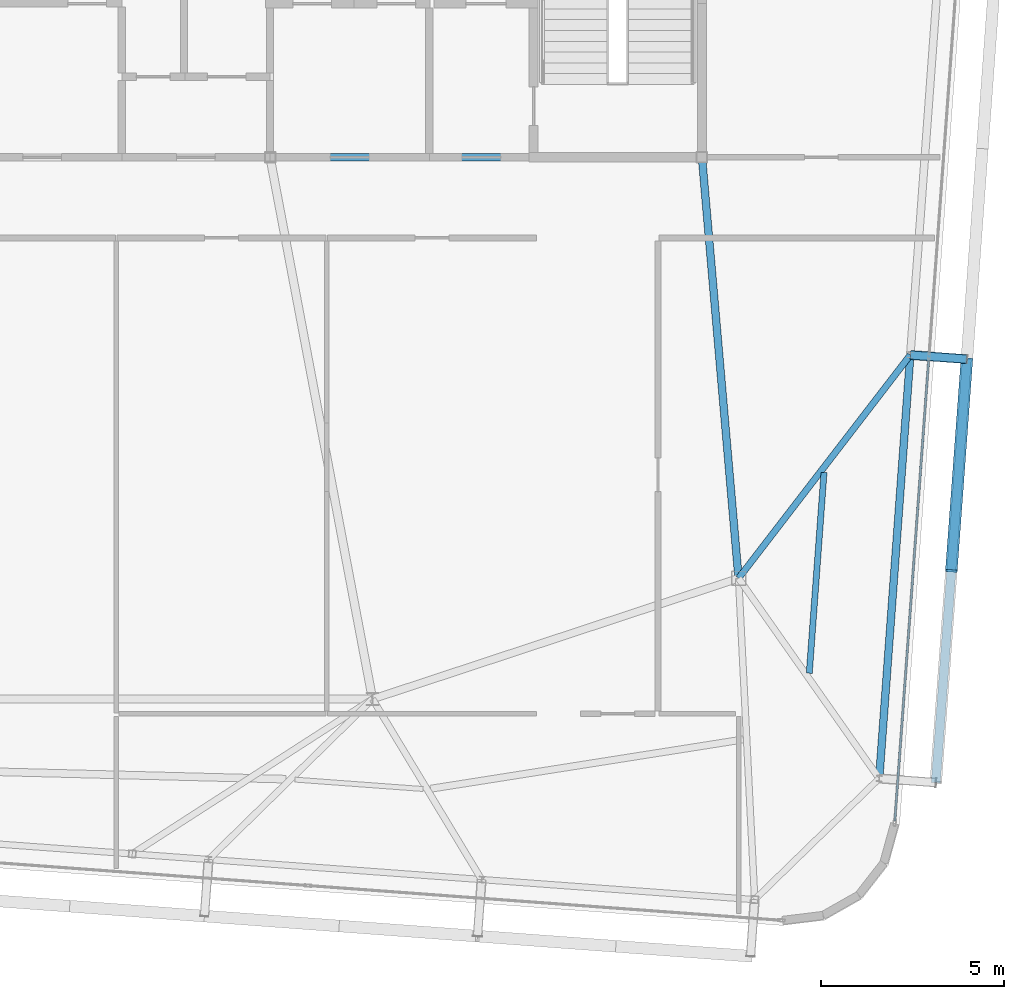
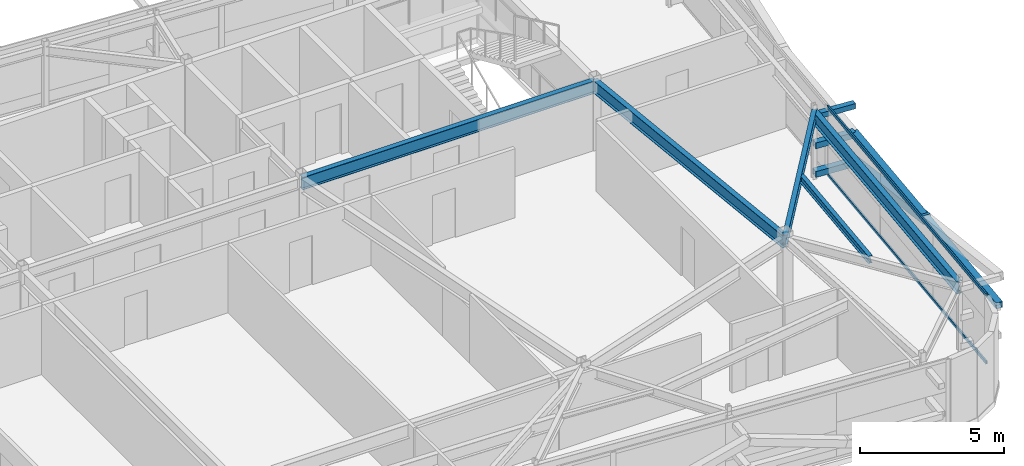
# One storey, part 16 of 34: 7 members, 5 beams, 1 element without a shape of its own.
"""IFC4 building model written with IfcOpenShell, lengths in metres."""

import ifcopenshell
import ifcopenshell.guid

model = None  # the IFC model being written
_history = None  # IfcOwnerHistory: only IFC2X3 demands one
_inside = {}  # id of a spatial element -> (the spatial element, [elements in it])
_under = {}  # id of a project, library or spatial element -> (it, [spatial elements below it])
_declared = {}  # id of a project -> (the project, [libraries it declares])
_typed = {}  # id of a type object -> (the type object, [elements of that type])
_made_of = {}  # id of a material, layer set ... -> (it, [elements and type objects made of it])


def new_model(schema):
    """Start an empty IFC model of exactly this schema.

    Asked for "IFC4X3", IfcOpenShell would pick the latest addendum, in which some entities
    have other attributes; the version numbers below select the first issue.
    IFC2X3 requires an IfcOwnerHistory on every rooted entity: one is made here for all.
    """
    global model, _history
    if schema == "IFC4X3":
        model = ifcopenshell.file(schema_version=(4, 3, 0, 0))
    else:
        model = ifcopenshell.file(schema=schema)
    _inside.clear()
    _under.clear()
    _declared.clear()
    _typed.clear()
    _made_of.clear()
    _history = None
    if model.schema == "IFC2X3":
        org = make("IfcOrganization", Name="unknown")
        user = make(
            "IfcPersonAndOrganization",
            ThePerson=make("IfcPerson", FamilyName="unknown"),
            TheOrganization=org,
        )
        app = make(
            "IfcApplication",
            ApplicationDeveloper=org,
            Version="unknown",
            ApplicationFullName="unknown",
            ApplicationIdentifier="unknown",
        )
        _history = make(
            "IfcOwnerHistory",
            OwningUser=user,
            OwningApplication=app,
            ChangeAction="ADDED",
            CreationDate=0,
        )
    return model


def make(cls, **values):
    """One entity of the class cls with the attributes given. An attribute that is None is left unset."""
    return model.create_entity(
        cls, **{name: value for name, value in values.items() if value is not None}
    )


def rooted(cls, **values):
    """An entity with a GlobalId (a new one), such as an element, a storey or a relation."""
    return make(cls, GlobalId=ifcopenshell.guid.new(), OwnerHistory=_history, **values)


def si_unit(unit_type, name, prefix=None):
    """IfcSIUnit, for example si_unit("LENGTHUNIT", "METRE", prefix="MILLI")."""
    return make("IfcSIUnit", UnitType=unit_type, Prefix=prefix, Name=name)


def assignment(units):
    """IfcUnitAssignment: the units of a project."""
    return None if units is None else make("IfcUnitAssignment", Units=units)


def point(xyz):
    """IfcCartesianPoint."""
    return None if xyz is None else make("IfcCartesianPoint", Coordinates=xyz)


def direction(xyz):
    """IfcDirection."""
    return None if xyz is None else make("IfcDirection", DirectionRatios=xyz)


def frame(location, z_axis=None, x_axis=None):
    """IfcAxis2Placement3D, a coordinate frame: its origin and axes. An axis left out is left unset."""
    return make(
        "IfcAxis2Placement3D",
        Location=point(location),
        Axis=direction(z_axis),
        RefDirection=direction(x_axis),
    )


def frame_2d(location, x_axis=None):
    """IfcAxis2Placement2D, a coordinate frame in the plane: its origin and x axis."""
    return make(
        "IfcAxis2Placement2D", Location=point(location), RefDirection=direction(x_axis)
    )


def origin():
    """The frame at (0, 0, 0) with its axes left unset."""
    return frame((0.0, 0.0, 0.0))


def origin_2d():
    """The frame at (0, 0) in the plane with its x axis left unset."""
    return frame_2d((0.0, 0.0))


def place(relative_to, where):
    """IfcLocalPlacement: puts the frame where relative to a parent placement (None: the world)."""
    return make(
        "IfcLocalPlacement", PlacementRelTo=relative_to, RelativePlacement=where
    )


def context(
    kind, dimensions, precision=None, world=None, true_north=None, identifier=None
):
    """IfcGeometricRepresentationContext, for example the 3D "Model" context."""
    return make(
        "IfcGeometricRepresentationContext",
        ContextIdentifier=identifier,
        ContextType=kind,
        CoordinateSpaceDimension=dimensions,
        Precision=precision,
        WorldCoordinateSystem=world,
        TrueNorth=true_north,
    )


def subcontext(parent, identifier, kind, view, scale=None):
    """IfcGeometricRepresentationSubContext, for example "Body" below "Model"."""
    return make(
        "IfcGeometricRepresentationSubContext",
        ContextIdentifier=identifier,
        ContextType=kind,
        ParentContext=parent,
        TargetScale=scale,
        TargetView=view,
    )


def project(units=None, contexts=None):
    """IfcProject with its units and contexts."""
    return rooted(
        "IfcProject",
        Name="project",
        RepresentationContexts=contexts,
        UnitsInContext=assignment(units),
    )


def spatial(cls, under=None, at=None, **own):
    """A site, building, storey or space (cls), placed at a placement, below another one or the project."""
    s = rooted(cls, ObjectPlacement=at, **own)
    if under is not None:
        _under.setdefault(under.id(), (under, []))[1].append(s)
    return s


def profile(cls, at=None, kind="AREA", **sizes):
    """A parametric profile (cls). Its sizes go by their IFC names, for example OverallWidth=200.0."""
    return make(cls, ProfileType=kind, Position=at, **sizes)


def hollow_rectangle(**sizes):
    """IfcRectangleHollowProfileDef."""
    return profile("IfcRectangleHollowProfileDef", **sizes)


def i_section(**sizes):
    """IfcIShapeProfileDef."""
    return profile("IfcIShapeProfileDef", **sizes)


def extrude(swept, where, along, depth):
    """IfcExtrudedAreaSolid: the profile swept, set in the frame where, extruded along a direction by depth."""
    return make(
        "IfcExtrudedAreaSolid",
        SweptArea=swept,
        Position=where,
        ExtrudedDirection=direction(along),
        Depth=depth,
    )


def shape(context_of_items, identifier, shape_type, items):
    """IfcShapeRepresentation: the items that make up one representation, for example the "Body"."""
    return make(
        "IfcShapeRepresentation",
        ContextOfItems=context_of_items,
        RepresentationIdentifier=identifier,
        RepresentationType=shape_type,
        Items=items,
    )


def source(mapping_origin, context_of_items, identifier, shape_type, items):
    """IfcRepresentationMap: a shape defined once, which mapped items show again and again."""
    return make(
        "IfcRepresentationMap",
        MappingOrigin=mapping_origin,
        MappedRepresentation=shape(context_of_items, identifier, shape_type, items),
    )


def transform(
    local_origin,
    x_axis=None,
    y_axis=None,
    z_axis=None,
    scale=None,
    scale2=None,
    scale3=None,
    uniform=True,
):
    """IfcCartesianTransformationOperator3D, or its non-uniform kind. x_axis, y_axis, z_axis: its Axis1, 2, 3."""
    if uniform:
        return make(
            "IfcCartesianTransformationOperator3D",
            Axis1=direction(x_axis),
            Axis2=direction(y_axis),
            LocalOrigin=point(local_origin),
            Scale=scale,
            Axis3=direction(z_axis),
        )
    return make(
        "IfcCartesianTransformationOperator3DnonUniform",
        Axis1=direction(x_axis),
        Axis2=direction(y_axis),
        LocalOrigin=point(local_origin),
        Scale=scale,
        Axis3=direction(z_axis),
        Scale2=scale2,
        Scale3=scale3,
    )


def mapped(mapping_source, mapping_target):
    """IfcMappedItem: shows the shape of a source again, moved by a transform."""
    return make(
        "IfcMappedItem", MappingSource=mapping_source, MappingTarget=mapping_target
    )


def material(Name=None, Category=None):
    """IfcMaterial."""
    return make("IfcMaterial", Name=Name, Category=Category)


def layer(
    of_material, thickness, ventilated=None, Name=None, Category=None, Priority=None
):
    """IfcMaterialLayer: one layer of a wall or slab, of a material (None: an air gap)."""
    return make(
        "IfcMaterialLayer",
        Material=of_material,
        LayerThickness=thickness,
        IsVentilated=ventilated,
        Name=Name,
        Category=Category,
        Priority=Priority,
    )


def layer_set(layers, Name=None):
    """IfcMaterialLayerSet."""
    return make("IfcMaterialLayerSet", MaterialLayers=layers, LayerSetName=Name)


def material_profile(
    of_material, cross_section, Name=None, Category=None, Priority=None
):
    """IfcMaterialProfile: a cross section and its material."""
    return make(
        "IfcMaterialProfile",
        Name=Name,
        Material=of_material,
        Profile=cross_section,
        Priority=Priority,
        Category=Category,
    )


def profile_set(profiles, Name=None, composite=None):
    """IfcMaterialProfileSet."""
    return make(
        "IfcMaterialProfileSet",
        Name=Name,
        MaterialProfiles=profiles,
        CompositeProfile=composite,
    )


def made_of(thing, what):
    """Note that an element or type object is made of a material, layer set ...; save() writes the relation."""
    if what is not None:
        _made_of.setdefault(what.id(), (what, []))[1].append(thing)
    return thing


def type_object(cls, material=None, **own):
    """A type object (cls), such as IfcWallType, which elements share."""
    return made_of(rooted(cls, **own), material)


def element(
    cls,
    number,
    at=None,
    inside=None,
    cuts=None,
    type_object=None,
    material=None,
    context=None,
    identifier="Body",
    shape_type=None,
    held_by="IfcProductDefinitionShape",
    body=None,
    shapes=None,
    **own,
):
    """One element of the class cls, such as IfcWall. Its Tag is "e" and its number.

    at: its placement. inside: the storey or other place that contains it. cuts: it is an
    opening in that element (IfcRelVoidsElement). A single representation is given by context,
    identifier, shape_type and body (its items); several are given by shapes. held_by: the class
    of the entity that holds the representations. save() writes the other relations.
    """
    e = rooted(cls, Tag="e%d" % number, ObjectPlacement=at, **own)
    if body is not None:
        shapes = [shape(context, identifier, shape_type, body)]
    if shapes is not None:
        e.Representation = make(held_by, Representations=shapes)
    if inside is not None:
        _inside.setdefault(inside.id(), (inside, []))[1].append(e)
    if cuts is not None:
        rooted(
            "IfcRelVoidsElement", RelatingBuildingElement=cuts, RelatedOpeningElement=e
        )
    if type_object is not None:
        _typed.setdefault(type_object.id(), (type_object, []))[1].append(e)
    return made_of(e, material)


def aggregate(whole, parts):
    """IfcRelAggregates: a whole, such as a stair, and the parts it consists of."""
    return rooted("IfcRelAggregates", RelatingObject=whole, RelatedObjects=parts)


def save(model, path):
    """Write the relations noted so far, then the file.

    IfcRelAggregates (storeys below a building ...), IfcRelContainedInSpatialStructure (elements
    in a storey), IfcRelDefinesByType, IfcRelAssociatesMaterial and IfcRelDeclares: one each for
    every whole, place, type object, material and project.
    """
    for whole, parts in _under.values():
        aggregate(whole, parts)
    for where, things in _inside.values():
        rooted(
            "IfcRelContainedInSpatialStructure",
            RelatedElements=things,
            RelatingStructure=where,
        )
    for kind, things in _typed.values():
        rooted("IfcRelDefinesByType", RelatedObjects=things, RelatingType=kind)
    for what, things in _made_of.values():
        rooted("IfcRelAssociatesMaterial", RelatedObjects=things, RelatingMaterial=what)
    for by, libraries in _declared.values():
        rooted("IfcRelDeclares", RelatingContext=by, RelatedDefinitions=libraries)
    model.write(path)


model = new_model("IFC4")

# Units and contexts
model_context = context("Model", 3, precision=1e-05, world=origin(), true_north=direction((0.0, 1.0)))
body_context = subcontext(model_context, "Body", "Model", "MODEL_VIEW")
ifc_project = project(units=[si_unit("LENGTHUNIT", "METRE"), si_unit("AREAUNIT", "SQUARE_METRE"), si_unit("VOLUMEUNIT", "CUBIC_METRE"), si_unit("PLANEANGLEUNIT", "RADIAN"), si_unit("MASSUNIT", "GRAM", prefix="KILO")], contexts=[model_context])

# Site, building, storey
site_placement = place(None, origin())
site = spatial("IfcSite", under=ifc_project, at=site_placement, CompositionType="ELEMENT")
building_placement = place(site_placement, origin())
building = spatial("IfcBuilding", under=site, at=building_placement, Name="Taldren Reach Tower", CompositionType="ELEMENT")
storey_placement = place(building_placement, frame((0.0, 0.0, 246.050048828125)))
storey = spatial("IfcBuildingStorey", under=building, at=storey_placement, Name="L75", CompositionType="ELEMENT", Elevation=246.050048828125)

# Beams
ifc_material_1 = material(Name="Steel Gr 350 (350PLUS)", Category="steel")
ifc_material_profile_1 = material_profile(ifc_material_1, i_section(OverallWidth=0.208984375, OverallDepth=0.532958984375, WebThickness=0.01025390625, FlangeThickness=0.015625, at=origin_2d()), Name="530UB92.4")
ifc_profile_set_1 = profile_set([ifc_material_profile_1], Name="Steel Gr 350 (350PLUS)")
beam_type_1 = type_object("IfcBeamType", Name="BM-UB530A", PredefinedType="BEAM", material=ifc_profile_set_1)
shared_shape_1 = source(origin(), body_context, "Body", "SweptSolid", [
    extrude(i_section(OverallWidth=0.208984375, OverallDepth=0.532958984375, WebThickness=0.01025390625, FlangeThickness=0.015625, at=origin_2d()), origin(), (0.0, 0.0, 1.0), 11.800048828125),
])
beam_1_placement = place(storey_placement, frame((39.199951171875, 24.0, 2.663330078125), z_axis=(1.0, 0.0, 0.0), x_axis=(0.0, 1.0, 0.0)))
element("IfcBeam", 1, at=beam_1_placement, inside=storey, type_object=beam_type_1, Name="Core-spine girder L75-SP03", PredefinedType="BEAM", context=body_context, shape_type="MappedRepresentation", body=[
    mapped(shared_shape_1, transform((0.0, 0.0, 0.0), scale=1.0)),
])
shared_shape_2 = source(origin(), body_context, "Body", "SweptSolid", [
    extrude(i_section(OverallWidth=0.208984375, OverallDepth=0.532958984375, WebThickness=0.01025390625, FlangeThickness=0.015625, at=origin_2d()), origin(), (0.0, 0.0, 1.0), 11.54345703125),
])
beam_2_placement = place(storey_placement, frame((52.0, 12.5, 2.663330078125), z_axis=(-0.086629616365, 0.996240588196, 0.0), x_axis=(-0.996240588196, -0.086629616365, 0.0)))
element("IfcBeam", 2, at=beam_2_placement, inside=storey, type_object=beam_type_1, Name="Core-spine girder L75-SP13", PredefinedType="BEAM", context=body_context, shape_type="MappedRepresentation", body=[
    mapped(shared_shape_2, transform((0.0, 0.0, 0.0), scale=1.0)),
])
ifc_material_profile_2 = material_profile(ifc_material_1, i_section(OverallWidth=0.208984375, OverallDepth=0.528076171875, WebThickness=0.009521484375, FlangeThickness=0.01318359375, at=origin_2d()), Name="530UB82.0")
ifc_profile_set_2 = profile_set([ifc_material_profile_2], Name="Steel Gr 350 (350PLUS)")
beam_type_2 = type_object("IfcBeamType", Name="SP-UB530B", PredefinedType="SPANDREL", material=ifc_profile_set_2)
shared_shape_3 = source(origin(), body_context, "Body", "SweptSolid", [
    extrude(i_section(OverallWidth=0.208984375, OverallDepth=0.528076171875, WebThickness=0.009521484375, FlangeThickness=0.01318359375, at=origin_2d()), origin(), (0.0, 0.0, 1.0), 11.60009765625),
])
beam_3_placement = place(storey_placement, frame((55.841796875, 7.031005859375, 2.666015625), z_axis=(0.073242167855, 0.997314185625, 0.0), x_axis=(-0.997314185625, 0.073242167855, 0.0)))
element("IfcBeam", 3, at=beam_3_placement, inside=storey, type_object=beam_type_2, Name="Perimeter spandrel B5 E1-E2 L75", PredefinedType="SPANDREL", context=body_context, shape_type="MappedRepresentation", body=[
    mapped(shared_shape_3, transform((0.0, 0.0, 0.0), scale=1.0)),
])
ifc_material_profile_3 = material_profile(ifc_material_1, i_section(OverallWidth=0.177978515625, OverallDepth=0.406005859375, WebThickness=0.0078125, FlangeThickness=0.0126953125, at=origin_2d()), Name="410UB59.7")
ifc_profile_set_3 = profile_set([ifc_material_profile_3], Name="Steel Gr 350 (350PLUS)")
beam_type_3 = type_object("IfcBeamType", Name="BM-UB410", PredefinedType="BEAM", material=ifc_profile_set_3)
shared_shape_4 = source(origin(), body_context, "Body", "SweptSolid", [
    extrude(i_section(OverallWidth=0.177978515625, OverallDepth=0.406005859375, WebThickness=0.0078125, FlangeThickness=0.0126953125, at=origin_2d()), origin(), (0.0, 0.0, 1.0), 7.6953125),
])
beam_4_placement = place(storey_placement, frame((52.0, 12.5, 2.72705078125), z_axis=(0.609646363361, 0.792673521471, 0.0), x_axis=(-0.792673521471, 0.609646363361, 0.0)))
element("IfcBeam", 4, at=beam_4_placement, inside=storey, type_object=beam_type_3, Name="Primary floor girder B5-E2 L75", PredefinedType="BEAM", context=body_context, shape_type="MappedRepresentation", body=[
    mapped(shared_shape_4, transform((0.0, 0.0, 0.0), scale=1.0)),
])
ifc_material_2 = material(Name="Steel Gr 300 (300PLUS, 300 MPa)", Category="steel")
ifc_material_profile_4 = material_profile(ifc_material_2, i_section(OverallWidth=0.166015625, OverallDepth=0.306884765625, WebThickness=0.006591796875, FlangeThickness=0.01171875, at=origin_2d()), Name="310UB46.2")
ifc_profile_set_4 = profile_set([ifc_material_profile_4], Name="Steel Gr 300 (300PLUS, 300 MPa)")
beam_type_4 = type_object("IfcBeamType", Name="JS-UB310", PredefinedType="JOIST", material=ifc_profile_set_4)
shared_shape_5 = source(origin(), body_context, "Body", "SweptSolid", [
    extrude(i_section(OverallWidth=0.166015625, OverallDepth=0.306884765625, WebThickness=0.006591796875, FlangeThickness=0.01171875, at=origin_2d()), origin(), (0.0, 0.0, 1.0), 5.49755859375),
])
beam_5_placement = place(storey_placement, frame((53.93115234375, 9.905517578125, 2.7763671875), z_axis=(0.073228814191, 0.99731516622, 0.0), x_axis=(-0.99731516622, 0.073228814191, 0.0)))
element("IfcBeam", 5, at=beam_5_placement, inside=storey, type_object=beam_type_4, Name="Secondary floor joist B5 J7 L75", PredefinedType="JOIST", context=body_context, shape_type="MappedRepresentation", body=[
    mapped(shared_shape_5, transform((0.0, 0.0, 0.0), scale=1.0)),
])

# Members
ifc_material_3 = material(Name="Steel Gr 450 (C450L0)", Category="steel")
ifc_material_profile_5 = material_profile(ifc_material_3, hollow_rectangle(XDim=0.219970703125, YDim=0.219970703125, WallThickness=0.00830078125, at=origin_2d()), Name="220x220x8.2SHS")
ifc_profile_set_5 = profile_set([ifc_material_profile_5], Name="Steel Gr 450 (C450L0)")
member_type_1 = type_object("IfcMemberType", Name="MB-TIE219", PredefinedType="STRUT", material=ifc_profile_set_5)
shared_shape_6 = source(origin(), body_context, "Body", "SweptSolid", [
    extrude(hollow_rectangle(XDim=0.219970703125, YDim=0.219970703125, WallThickness=0.00830078125, at=origin_2d()), origin(), (0.0, 0.0, 1.0), 1.5458984375),
])
member_1_placement = place(storey_placement, frame((56.6953125, 18.599365234375, 2.64990234375), z_axis=(0.99732305975, -0.073121231459, 0.0), x_axis=(0.073121231459, 0.99732305975, 0.0)))
element("IfcMember", 6, at=member_1_placement, inside=storey, type_object=member_type_1, Name="Exoskeleton diaphragm tie strut B5-E2 L75", PredefinedType="STRUT", context=body_context, shape_type="MappedRepresentation", body=[
    mapped(shared_shape_6, transform((0.0, 0.0, 0.0), scale=1.0)),
])
ifc_material_profile_6 = material_profile(ifc_material_3, hollow_rectangle(XDim=0.324951171875, YDim=0.324951171875, WallThickness=0.0126953125, at=origin_2d()), Name="325x325x12.7SHS")
ifc_profile_set_6 = profile_set([ifc_material_profile_6], Name="Steel Gr 450 (C450L0)")
member_type_2 = type_object("IfcMemberType", Name="MB-BR324", PredefinedType="BRACE", material=ifc_profile_set_6)
shared_shape_7 = source(origin(), body_context, "Body", "SweptSolid", [
    extrude(hollow_rectangle(XDim=0.324951171875, YDim=0.324951171875, WallThickness=0.0126953125, at=origin_2d()), origin(), (0.0, 0.0, 1.0), 5.926025390625),
])
member_2_placement = place(storey_placement, frame((58.237060546875, 18.486328125, 0.219970703125), z_axis=(-0.071685935393, -0.976123486939, 0.205046494513), x_axis=(0.997314185625, -0.073242167855, 0.0)))
element("IfcMember", 7, at=member_2_placement, inside=storey, type_object=member_type_2, Name="Exoskeleton Diagrid Brace B5-E1 L75", PredefinedType="BRACE", context=body_context, shape_type="MappedRepresentation", body=[
    mapped(shared_shape_7, transform((0.0, 0.0, 0.0), scale=1.0)),
])
ifc_material_4 = material(Name="Steel Gr 350 (C350L0)", Category="steel")
ifc_material_profile_7 = material_profile(ifc_material_4, hollow_rectangle(XDim=0.25, YDim=0.25, WallThickness=0.010009765625, at=origin_2d()), Name="250x250x10.0SHS")
ifc_profile_set_7 = profile_set([ifc_material_profile_7], Name="Steel Gr 350 (C350L0)")
member_type_3 = type_object("IfcMemberType", Name="MB-POST250", PredefinedType="POST", material=ifc_profile_set_7)
shared_shape_8 = source(origin(), body_context, "Body", "SweptSolid", [
    extrude(hollow_rectangle(XDim=0.25, YDim=0.25, WallThickness=0.010009765625, at=origin_2d()), origin(), (0.0, 0.0, 1.0), 11.60009765625),
])
member_3_placement = place(storey_placement, frame((57.3876953125, 6.91748046875, 1.43505859375), z_axis=(0.073221234109, 0.997315722766, 0.0), x_axis=(-0.997315722766, 0.073221234109, 0.0)))
element("IfcMember", 8, at=member_3_placement, inside=storey, type_object=member_type_3, Name="Exoskeleton mid-height ring chord B5-E1 L75", PredefinedType="POST", context=body_context, shape_type="MappedRepresentation", body=[
    mapped(shared_shape_8, transform((0.0, 0.0, 0.0), scale=1.0)),
])
shared_shape_9 = source(origin(), body_context, "Body", "SweptSolid", [
    extrude(hollow_rectangle(XDim=0.25, YDim=0.25, WallThickness=0.010009765625, at=origin_2d()), origin(), (0.0, 0.0, 1.0), 1.5458984375),
])
for number, where, z_axis, x_axis, name in (
    (9, (56.6953125, 18.599365234375, 0.219970703125), (0.99732305975, -0.073121231459, 0.0), (0.073121231459, 0.99732305975, 0.0), "Exoskeleton base diaphragm tie strut B5-E2 L75"),
    (10, (56.6953125, 18.599365234375, 1.43505859375), (0.99732305975, -0.073121231459, 0.0), (0.073121231459, 0.99732305975, 0.0), "Exoskeleton mid-tier diaphragm tie B5-E2 L75"),
):
    element("IfcMember", number, at=place(storey_placement, frame(where, z_axis=z_axis, x_axis=x_axis)), inside=storey, type_object=member_type_3, Name=name, PredefinedType="POST", context=body_context, shape_type="MappedRepresentation", body=[
        mapped(shared_shape_9, transform((0.0, 0.0, 0.0), scale=1.0)),
    ])

# Curtain wall, members
ifc_material_5 = material(Name="Aluminium and Low-E Glass Unitised System", Category="aluminium")
ifc_layer = layer(ifc_material_5, 0.159912109375)
ifc_layer_set = layer_set([ifc_layer], Name="Aluminium and Low-E Glass Unitised System")
curtain_wall_type = type_object("IfcCurtainWallType", Name="CW-SYS-6", PredefinedType="NOTDEFINED", material=ifc_layer_set)
curtain_wall_placement = place(storey_placement, origin())
curtain_wall = element("IfcCurtainWall", 11, at=curtain_wall_placement, inside=storey, type_object=curtain_wall_type, Name="Unitised curtain wall CW-L75-E", PredefinedType="NOTDEFINED")
ifc_material_6 = material(Name="Anodised Aluminium 6063-T6", Category="aluminium")
ifc_material_profile_8 = material_profile(ifc_material_6, hollow_rectangle(XDim=0.06005859375, YDim=0.135009765625, WallThickness=0.00341796875, at=origin_2d()), Name="ALU-135x60x3.5RHS")
ifc_profile_set_8 = profile_set([ifc_material_profile_8], Name="Anodised Aluminium 6063-T6")
member_type_4 = type_object("IfcMemberType", Name="CW-TRN-150", PredefinedType="USERDEFINED", material=ifc_profile_set_8)
shared_shape_10 = source(origin(), body_context, "Body", "SweptSolid", [
    extrude(hollow_rectangle(XDim=0.06005859375, YDim=0.135009765625, WallThickness=0.00341796875, at=origin_2d()), origin(), (0.0, 0.0, 1.0), 12.6875),
])
member_4_placement = place(storey_placement, frame((56.26806640625, 5.87158203125, 0.030029296875), z_axis=(0.073237997916, 0.997314491854, 0.0), x_axis=(-0.997314491854, 0.073237997916, 0.0)))
member_4 = element("IfcMember", 12, at=member_4_placement, type_object=member_type_4, Name="CW-6 transom 1.1", ObjectType="TRANSOM", PredefinedType="USERDEFINED", context=body_context, shape_type="MappedRepresentation", body=[
    mapped(shared_shape_10, transform((0.0, 0.0, 0.0), scale=1.0)),
])
member_5_placement = place(storey_placement, frame((56.26806640625, 5.87158203125, 2.89990234375), z_axis=(0.073237997916, 0.997314491854, 0.0), x_axis=(-0.997314491854, 0.073237997916, 0.0)))
member_5 = element("IfcMember", 13, at=member_5_placement, type_object=member_type_4, Name="CW-6 transom 1.2", ObjectType="TRANSOM", PredefinedType="USERDEFINED", context=body_context, shape_type="MappedRepresentation", body=[
    mapped(shared_shape_10, transform((0.0, 0.0, 0.0), scale=1.0)),
])
aggregate(curtain_wall, [member_4, member_5])

save(model, "model.ifc")
